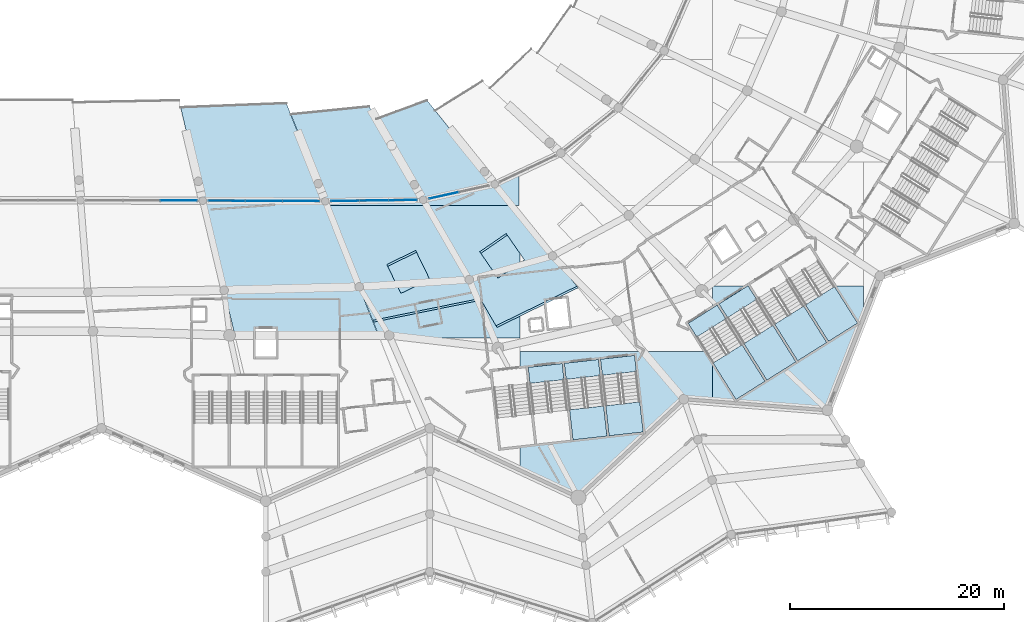
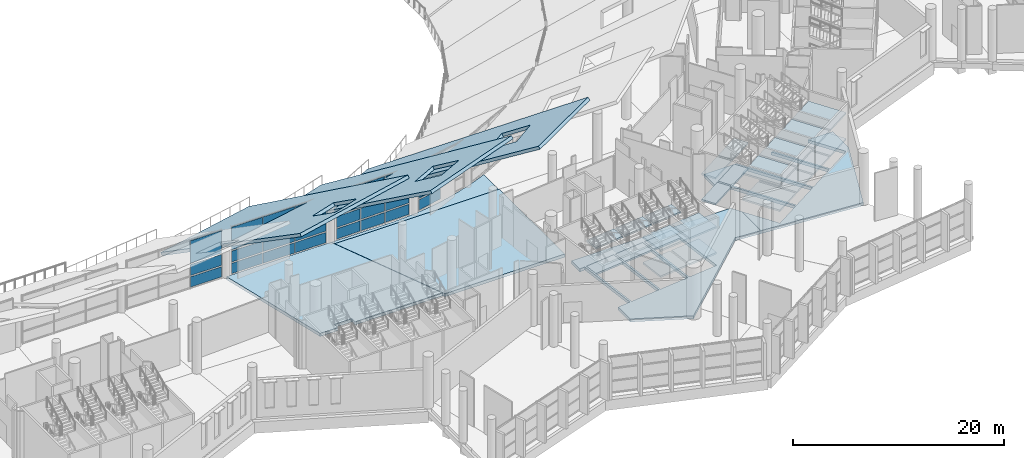
# One storey, part 109 of 249: 30 slabs, 23 plates, 11 elements without a shape of their own.
"""IFC4 building model written with IfcOpenShell, lengths in metres."""

import ifcopenshell
import ifcopenshell.guid

model = None  # the IFC model being written
_history = None  # IfcOwnerHistory: only IFC2X3 demands one
_inside = {}  # id of a spatial element -> (the spatial element, [elements in it])
_under = {}  # id of a project, library or spatial element -> (it, [spatial elements below it])
_declared = {}  # id of a project -> (the project, [libraries it declares])
_typed = {}  # id of a type object -> (the type object, [elements of that type])
_made_of = {}  # id of a material, layer set ... -> (it, [elements and type objects made of it])


def new_model(schema):
    """Start an empty IFC model of exactly this schema.

    Asked for "IFC4X3", IfcOpenShell would pick the latest addendum, in which some entities
    have other attributes; the version numbers below select the first issue.
    IFC2X3 requires an IfcOwnerHistory on every rooted entity: one is made here for all.
    """
    global model, _history
    if schema == "IFC4X3":
        model = ifcopenshell.file(schema_version=(4, 3, 0, 0))
    else:
        model = ifcopenshell.file(schema=schema)
    _inside.clear()
    _under.clear()
    _declared.clear()
    _typed.clear()
    _made_of.clear()
    _history = None
    if model.schema == "IFC2X3":
        org = make("IfcOrganization", Name="unknown")
        user = make(
            "IfcPersonAndOrganization",
            ThePerson=make("IfcPerson", FamilyName="unknown"),
            TheOrganization=org,
        )
        app = make(
            "IfcApplication",
            ApplicationDeveloper=org,
            Version="unknown",
            ApplicationFullName="unknown",
            ApplicationIdentifier="unknown",
        )
        _history = make(
            "IfcOwnerHistory",
            OwningUser=user,
            OwningApplication=app,
            ChangeAction="ADDED",
            CreationDate=0,
        )
    return model


def make(cls, **values):
    """One entity of the class cls with the attributes given. An attribute that is None is left unset."""
    return model.create_entity(
        cls, **{name: value for name, value in values.items() if value is not None}
    )


def rooted(cls, **values):
    """An entity with a GlobalId (a new one), such as an element, a storey or a relation."""
    return make(cls, GlobalId=ifcopenshell.guid.new(), OwnerHistory=_history, **values)


def si_unit(unit_type, name, prefix=None):
    """IfcSIUnit, for example si_unit("LENGTHUNIT", "METRE", prefix="MILLI")."""
    return make("IfcSIUnit", UnitType=unit_type, Prefix=prefix, Name=name)


def assignment(units):
    """IfcUnitAssignment: the units of a project."""
    return None if units is None else make("IfcUnitAssignment", Units=units)


def point(xyz):
    """IfcCartesianPoint."""
    return None if xyz is None else make("IfcCartesianPoint", Coordinates=xyz)


def direction(xyz):
    """IfcDirection."""
    return None if xyz is None else make("IfcDirection", DirectionRatios=xyz)


def frame(location, z_axis=None, x_axis=None):
    """IfcAxis2Placement3D, a coordinate frame: its origin and axes. An axis left out is left unset."""
    return make(
        "IfcAxis2Placement3D",
        Location=point(location),
        Axis=direction(z_axis),
        RefDirection=direction(x_axis),
    )


def frame_2d(location, x_axis=None):
    """IfcAxis2Placement2D, a coordinate frame in the plane: its origin and x axis."""
    return make(
        "IfcAxis2Placement2D", Location=point(location), RefDirection=direction(x_axis)
    )


def origin():
    """The frame at (0, 0, 0) with its axes left unset."""
    return frame((0.0, 0.0, 0.0))


def origin_2d():
    """The frame at (0, 0) in the plane with its x axis left unset."""
    return frame_2d((0.0, 0.0))


def place(relative_to, where):
    """IfcLocalPlacement: puts the frame where relative to a parent placement (None: the world)."""
    return make(
        "IfcLocalPlacement", PlacementRelTo=relative_to, RelativePlacement=where
    )


def context(
    kind, dimensions, precision=None, world=None, true_north=None, identifier=None
):
    """IfcGeometricRepresentationContext, for example the 3D "Model" context."""
    return make(
        "IfcGeometricRepresentationContext",
        ContextIdentifier=identifier,
        ContextType=kind,
        CoordinateSpaceDimension=dimensions,
        Precision=precision,
        WorldCoordinateSystem=world,
        TrueNorth=true_north,
    )


def subcontext(parent, identifier, kind, view, scale=None):
    """IfcGeometricRepresentationSubContext, for example "Body" below "Model"."""
    return make(
        "IfcGeometricRepresentationSubContext",
        ContextIdentifier=identifier,
        ContextType=kind,
        ParentContext=parent,
        TargetScale=scale,
        TargetView=view,
    )


def project(units=None, contexts=None):
    """IfcProject with its units and contexts."""
    return rooted(
        "IfcProject",
        Name="project",
        RepresentationContexts=contexts,
        UnitsInContext=assignment(units),
    )


def spatial(cls, under=None, at=None, **own):
    """A site, building, storey or space (cls), placed at a placement, below another one or the project."""
    s = rooted(cls, ObjectPlacement=at, **own)
    if under is not None:
        _under.setdefault(under.id(), (under, []))[1].append(s)
    return s


def polyline(points):
    """IfcPolyline through the points."""
    return make("IfcPolyline", Points=[point(p) for p in points])


def profile(cls, at=None, kind="AREA", **sizes):
    """A parametric profile (cls). Its sizes go by their IFC names, for example OverallWidth=200.0."""
    return make(cls, ProfileType=kind, Position=at, **sizes)


def rectangle(**sizes):
    """IfcRectangleProfileDef."""
    return profile("IfcRectangleProfileDef", **sizes)


def outline(outer, holes=None, kind="AREA"):
    """IfcArbitraryClosedProfileDef: a profile drawn as a closed curve; with holes, ...WithVoids."""
    if holes is None:
        return make("IfcArbitraryClosedProfileDef", ProfileType=kind, OuterCurve=outer)
    return make(
        "IfcArbitraryProfileDefWithVoids",
        ProfileType=kind,
        OuterCurve=outer,
        InnerCurves=holes,
    )


def extrude(swept, where, along, depth):
    """IfcExtrudedAreaSolid: the profile swept, set in the frame where, extruded along a direction by depth."""
    return make(
        "IfcExtrudedAreaSolid",
        SweptArea=swept,
        Position=where,
        ExtrudedDirection=direction(along),
        Depth=depth,
    )


def shape(context_of_items, identifier, shape_type, items):
    """IfcShapeRepresentation: the items that make up one representation, for example the "Body"."""
    return make(
        "IfcShapeRepresentation",
        ContextOfItems=context_of_items,
        RepresentationIdentifier=identifier,
        RepresentationType=shape_type,
        Items=items,
    )


def material(Name=None, Category=None):
    """IfcMaterial."""
    return make("IfcMaterial", Name=Name, Category=Category)


def layer(
    of_material, thickness, ventilated=None, Name=None, Category=None, Priority=None
):
    """IfcMaterialLayer: one layer of a wall or slab, of a material (None: an air gap)."""
    return make(
        "IfcMaterialLayer",
        Material=of_material,
        LayerThickness=thickness,
        IsVentilated=ventilated,
        Name=Name,
        Category=Category,
        Priority=Priority,
    )


def layer_set(layers, Name=None):
    """IfcMaterialLayerSet."""
    return make("IfcMaterialLayerSet", MaterialLayers=layers, LayerSetName=Name)


def made_of(thing, what):
    """Note that an element or type object is made of a material, layer set ...; save() writes the relation."""
    if what is not None:
        _made_of.setdefault(what.id(), (what, []))[1].append(thing)
    return thing


def type_object(cls, material=None, **own):
    """A type object (cls), such as IfcWallType, which elements share."""
    return made_of(rooted(cls, **own), material)


def element(
    cls,
    number,
    at=None,
    inside=None,
    cuts=None,
    type_object=None,
    material=None,
    context=None,
    identifier="Body",
    shape_type=None,
    held_by="IfcProductDefinitionShape",
    body=None,
    shapes=None,
    **own,
):
    """One element of the class cls, such as IfcWall. Its Tag is "e" and its number.

    at: its placement. inside: the storey or other place that contains it. cuts: it is an
    opening in that element (IfcRelVoidsElement). A single representation is given by context,
    identifier, shape_type and body (its items); several are given by shapes. held_by: the class
    of the entity that holds the representations. save() writes the other relations.
    """
    e = rooted(cls, Tag="e%d" % number, ObjectPlacement=at, **own)
    if body is not None:
        shapes = [shape(context, identifier, shape_type, body)]
    if shapes is not None:
        e.Representation = make(held_by, Representations=shapes)
    if inside is not None:
        _inside.setdefault(inside.id(), (inside, []))[1].append(e)
    if cuts is not None:
        rooted(
            "IfcRelVoidsElement", RelatingBuildingElement=cuts, RelatedOpeningElement=e
        )
    if type_object is not None:
        _typed.setdefault(type_object.id(), (type_object, []))[1].append(e)
    return made_of(e, material)


def aggregate(whole, parts):
    """IfcRelAggregates: a whole, such as a stair, and the parts it consists of."""
    return rooted("IfcRelAggregates", RelatingObject=whole, RelatedObjects=parts)


def save(model, path):
    """Write the relations noted so far, then the file.

    IfcRelAggregates (storeys below a building ...), IfcRelContainedInSpatialStructure (elements
    in a storey), IfcRelDefinesByType, IfcRelAssociatesMaterial and IfcRelDeclares: one each for
    every whole, place, type object, material and project.
    """
    for whole, parts in _under.values():
        aggregate(whole, parts)
    for where, things in _inside.values():
        rooted(
            "IfcRelContainedInSpatialStructure",
            RelatedElements=things,
            RelatingStructure=where,
        )
    for kind, things in _typed.values():
        rooted("IfcRelDefinesByType", RelatedObjects=things, RelatingType=kind)
    for what, things in _made_of.values():
        rooted("IfcRelAssociatesMaterial", RelatedObjects=things, RelatingMaterial=what)
    for by, libraries in _declared.values():
        rooted("IfcRelDeclares", RelatingContext=by, RelatedDefinitions=libraries)
    model.write(path)


model = new_model("IFC4")

# Units and contexts
model_context = context("Model", 3, precision=1e-05, world=origin(), true_north=direction((0.0, 1.0)))
body_context = subcontext(model_context, "Body", "Model", "MODEL_VIEW")
ifc_project = project(units=[si_unit("LENGTHUNIT", "METRE"), si_unit("AREAUNIT", "SQUARE_METRE"), si_unit("VOLUMEUNIT", "CUBIC_METRE"), si_unit("PLANEANGLEUNIT", "RADIAN"), si_unit("MASSUNIT", "GRAM", prefix="KILO")], contexts=[model_context])

# Site, building, storey
site_placement = place(None, origin())
site = spatial("IfcSite", under=ifc_project, at=site_placement, CompositionType="ELEMENT")
building_placement = place(site_placement, origin())
building = spatial("IfcBuilding", under=site, at=building_placement, Name="Meseta Stadium", CompositionType="ELEMENT")
storey_placement = place(building_placement, frame((0.0, 0.0, 12.0)))
storey = spatial("IfcBuildingStorey", under=building, at=storey_placement, Name="L02", CompositionType="ELEMENT", Elevation=12.0)

# Curtain wall, plates
ifc_material_1 = material(Name="Aluminium", Category="aluminium")
ifc_layer_1 = layer(ifc_material_1, 0.199951171875)
ifc_layer_set_1 = layer_set([ifc_layer_1], Name="Suite glazing curtain wall")
curtain_wall_type = type_object("IfcCurtainWallType", Name="Suite glazing curtain wall", PredefinedType="NOTDEFINED", material=ifc_layer_set_1)
curtain_wall_1_placement = place(storey_placement, origin())
curtain_wall_1 = element("IfcCurtainWall", 1, at=curtain_wall_1_placement, inside=storey, type_object=curtain_wall_type, Name="Suite glazing bay 47", PredefinedType="NOTDEFINED")
ifc_material_2 = material(Name="Glass", Category="glass")
ifc_layer_2 = layer(ifc_material_2, 0.035888671875)
ifc_layer_set_2 = layer_set([ifc_layer_2], Name="CW glass panel 36")
plate_type = type_object("IfcPlateType", Name="CW glass panel 36", PredefinedType="CURTAIN_PANEL", material=ifc_layer_set_2)
plate_1_placement = place(storey_placement, frame((14.8779296875, -77.326416015625, 0.14990234375), z_axis=(0.0, 0.0, 1.0), x_axis=(0.999996910004, -0.002485957037, 0.0)))
plate_1 = element("IfcPlate", 2, at=plate_1_placement, type_object=plate_type, Name="CWS panel 3.1", PredefinedType="CURTAIN_PANEL", context=body_context, shape_type="SweptSolid", body=[
    extrude(rectangle(XDim=3.392333984375, YDim=0.035888671875, at=origin_2d()), origin(), (0.0, 0.0, 1.0), 1.1875),
])
plate_2_placement = place(storey_placement, frame((14.8779296875, -77.326416015625, 1.4873046875), z_axis=(0.0, 0.0, 1.0), x_axis=(0.999996910004, -0.002485957037, 0.0)))
plate_2 = element("IfcPlate", 3, at=plate_2_placement, type_object=plate_type, Name="CWS panel 3.2", PredefinedType="CURTAIN_PANEL", context=body_context, shape_type="SweptSolid", body=[
    extrude(rectangle(XDim=3.392333984375, YDim=0.035888671875, at=origin_2d()), origin(), (0.0, 0.0, 1.0), 1.262451171875),
])
plate_3_placement = place(storey_placement, frame((14.8779296875, -77.326416015625, 2.89990234375), z_axis=(0.0, 0.0, 1.0), x_axis=(0.999996910004, -0.002485957037, 0.0)))
plate_3 = element("IfcPlate", 4, at=plate_3_placement, type_object=plate_type, Name="CWS panel 3.3", PredefinedType="CURTAIN_PANEL", context=body_context, shape_type="SweptSolid", body=[
    extrude(rectangle(XDim=3.392333984375, YDim=0.035888671875, at=origin_2d()), origin(), (0.0, 0.0, 1.0), 2.60009765625),
])
aggregate(curtain_wall_1, [plate_1, plate_2, plate_3])

curtain_wall_2_placement = place(storey_placement, origin())
curtain_wall_2 = element("IfcCurtainWall", 5, at=curtain_wall_2_placement, inside=storey, type_object=curtain_wall_type, Name="Suite glazing bay 48", PredefinedType="NOTDEFINED")
plate_4_placement = place(storey_placement, frame((19.372802734375, -77.342041015625, 0.14990234375), z_axis=(0.0, 0.0, 1.0), x_axis=(0.999990015912, -0.004468565348, 0.0)))
plate_4 = element("IfcPlate", 6, at=plate_4_placement, type_object=plate_type, Name="CWS panel 1.1", PredefinedType="CURTAIN_PANEL", context=body_context, shape_type="SweptSolid", body=[
    extrude(rectangle(XDim=3.386474609375, YDim=0.035888671875, at=origin_2d()), origin(), (0.0, 0.0, 1.0), 1.1875),
])
plate_5_placement = place(storey_placement, frame((19.372802734375, -77.342041015625, 1.4873046875), z_axis=(0.0, 0.0, 1.0), x_axis=(0.999990015912, -0.004468565348, 0.0)))
plate_5 = element("IfcPlate", 7, at=plate_5_placement, type_object=plate_type, Name="CWS panel 1.2", PredefinedType="CURTAIN_PANEL", context=body_context, shape_type="SweptSolid", body=[
    extrude(rectangle(XDim=3.386474609375, YDim=0.035888671875, at=origin_2d()), origin(), (0.0, 0.0, 1.0), 1.262451171875),
])
plate_6_placement = place(storey_placement, frame((19.372802734375, -77.342041015625, 2.89990234375), z_axis=(0.0, 0.0, 1.0), x_axis=(0.999990015912, -0.004468565348, 0.0)))
plate_6 = element("IfcPlate", 8, at=plate_6_placement, type_object=plate_type, Name="CWS panel 1.3", PredefinedType="CURTAIN_PANEL", context=body_context, shape_type="SweptSolid", body=[
    extrude(rectangle(XDim=3.386474609375, YDim=0.035888671875, at=origin_2d()), origin(), (0.0, 0.0, 1.0), 2.60009765625),
])
plate_7_placement = place(storey_placement, frame((22.833984375, -77.357666015625, 0.14990234375), z_axis=(0.0, 0.0, 1.0), x_axis=(0.999990015912, -0.004468565348, 0.0)))
plate_7 = element("IfcPlate", 9, at=plate_7_placement, type_object=plate_type, Name="CWS panel 2.1", PredefinedType="CURTAIN_PANEL", context=body_context, shape_type="SweptSolid", body=[
    extrude(rectangle(XDim=3.41650390625, YDim=0.035888671875, at=origin_2d()), origin(), (0.0, 0.0, 1.0), 1.1875),
])
plate_8_placement = place(storey_placement, frame((22.833984375, -77.357666015625, 1.4873046875), z_axis=(0.0, 0.0, 1.0), x_axis=(0.999990015912, -0.004468565348, 0.0)))
plate_8 = element("IfcPlate", 10, at=plate_8_placement, type_object=plate_type, Name="CWS panel 2.2", PredefinedType="CURTAIN_PANEL", context=body_context, shape_type="SweptSolid", body=[
    extrude(rectangle(XDim=3.41650390625, YDim=0.035888671875, at=origin_2d()), origin(), (0.0, 0.0, 1.0), 1.262451171875),
])
plate_9_placement = place(storey_placement, frame((22.833984375, -77.357666015625, 2.89990234375), z_axis=(0.0, 0.0, 1.0), x_axis=(0.999990015912, -0.004468565348, 0.0)))
plate_9 = element("IfcPlate", 11, at=plate_9_placement, type_object=plate_type, Name="CWS panel 2.3", PredefinedType="CURTAIN_PANEL", context=body_context, shape_type="SweptSolid", body=[
    extrude(rectangle(XDim=3.41650390625, YDim=0.035888671875, at=origin_2d()), origin(), (0.0, 0.0, 1.0), 2.60009765625),
])
plate_10_placement = place(storey_placement, frame((26.29541015625, -77.373046875, 0.14990234375), z_axis=(0.0, 0.0, 1.0), x_axis=(0.999990015912, -0.004468565348, 0.0)))
plate_10 = element("IfcPlate", 12, at=plate_10_placement, type_object=plate_type, Name="CWS panel 3.1", PredefinedType="CURTAIN_PANEL", context=body_context, shape_type="SweptSolid", body=[
    extrude(rectangle(XDim=3.386474609375, YDim=0.035888671875, at=origin_2d()), origin(), (0.0, 0.0, 1.0), 1.1875),
])
plate_11_placement = place(storey_placement, frame((26.29541015625, -77.373046875, 1.4873046875), z_axis=(0.0, 0.0, 1.0), x_axis=(0.999990015912, -0.004468565348, 0.0)))
plate_11 = element("IfcPlate", 13, at=plate_11_placement, type_object=plate_type, Name="CWS panel 3.2", PredefinedType="CURTAIN_PANEL", context=body_context, shape_type="SweptSolid", body=[
    extrude(rectangle(XDim=3.386474609375, YDim=0.035888671875, at=origin_2d()), origin(), (0.0, 0.0, 1.0), 1.262451171875),
])
plate_12_placement = place(storey_placement, frame((26.29541015625, -77.373046875, 2.89990234375), z_axis=(0.0, 0.0, 1.0), x_axis=(0.999990015912, -0.004468565348, 0.0)))
plate_12 = element("IfcPlate", 14, at=plate_12_placement, type_object=plate_type, Name="CWS panel 3.3", PredefinedType="CURTAIN_PANEL", context=body_context, shape_type="SweptSolid", body=[
    extrude(rectangle(XDim=3.386474609375, YDim=0.035888671875, at=origin_2d()), origin(), (0.0, 0.0, 1.0), 2.60009765625),
])
aggregate(curtain_wall_2, [plate_4, plate_5, plate_6, plate_7, plate_8, plate_9, plate_10, plate_11, plate_12])

curtain_wall_3_placement = place(storey_placement, origin())
curtain_wall_3 = element("IfcCurtainWall", 15, at=curtain_wall_3_placement, inside=storey, type_object=curtain_wall_type, Name="Suite glazing bay 49", PredefinedType="NOTDEFINED")
plate_13_placement = place(storey_placement, frame((30.43994140625, -77.3583984375, 0.14990234375), z_axis=(0.0, 0.0, 1.0), x_axis=(0.999911801279, 0.013281177042, 0.0)))
plate_13 = element("IfcPlate", 16, at=plate_13_placement, type_object=plate_type, Name="CWS panel 1.1", PredefinedType="CURTAIN_PANEL", context=body_context, shape_type="SweptSolid", body=[
    extrude(rectangle(XDim=2.60546875, YDim=0.035888671875, at=origin_2d()), origin(), (0.0, 0.0, 1.0), 1.1875),
])
plate_14_placement = place(storey_placement, frame((30.43994140625, -77.3583984375, 1.4873046875), z_axis=(0.0, 0.0, 1.0), x_axis=(0.999911801279, 0.013281177042, 0.0)))
plate_14 = element("IfcPlate", 17, at=plate_14_placement, type_object=plate_type, Name="CWS panel 1.2", PredefinedType="CURTAIN_PANEL", context=body_context, shape_type="SweptSolid", body=[
    extrude(rectangle(XDim=2.60546875, YDim=0.035888671875, at=origin_2d()), origin(), (0.0, 0.0, 1.0), 1.262451171875),
])
plate_15_placement = place(storey_placement, frame((30.43994140625, -77.3583984375, 2.89990234375), z_axis=(0.0, 0.0, 1.0), x_axis=(0.999911801279, 0.013281177042, 0.0)))
plate_15 = element("IfcPlate", 18, at=plate_15_placement, type_object=plate_type, Name="CWS panel 1.3", PredefinedType="CURTAIN_PANEL", context=body_context, shape_type="SweptSolid", body=[
    extrude(rectangle(XDim=2.60546875, YDim=0.035888671875, at=origin_2d()), origin(), (0.0, 0.0, 1.0), 2.60009765625),
])
plate_16_placement = place(storey_placement, frame((33.1201171875, -77.32275390625, 0.14990234375), z_axis=(0.0, 0.0, 1.0), x_axis=(0.999911801279, 0.013281177042, 0.0)))
plate_16 = element("IfcPlate", 19, at=plate_16_placement, type_object=plate_type, Name="CWS panel 2.1", PredefinedType="CURTAIN_PANEL", context=body_context, shape_type="SweptSolid", body=[
    extrude(rectangle(XDim=2.635498046875, YDim=0.035888671875, at=origin_2d()), origin(), (0.0, 0.0, 1.0), 1.1875),
])
plate_17_placement = place(storey_placement, frame((33.1201171875, -77.32275390625, 1.4873046875), z_axis=(0.0, 0.0, 1.0), x_axis=(0.999911801279, 0.013281177042, 0.0)))
plate_17 = element("IfcPlate", 20, at=plate_17_placement, type_object=plate_type, Name="CWS panel 2.2", PredefinedType="CURTAIN_PANEL", context=body_context, shape_type="SweptSolid", body=[
    extrude(rectangle(XDim=2.635498046875, YDim=0.035888671875, at=origin_2d()), origin(), (0.0, 0.0, 1.0), 1.262451171875),
])
plate_18_placement = place(storey_placement, frame((33.1201171875, -77.32275390625, 2.89990234375), z_axis=(0.0, 0.0, 1.0), x_axis=(0.999911801279, 0.013281177042, 0.0)))
plate_18 = element("IfcPlate", 21, at=plate_18_placement, type_object=plate_type, Name="CWS panel 2.3", PredefinedType="CURTAIN_PANEL", context=body_context, shape_type="SweptSolid", body=[
    extrude(rectangle(XDim=2.635498046875, YDim=0.035888671875, at=origin_2d()), origin(), (0.0, 0.0, 1.0), 2.60009765625),
])
plate_19_placement = place(storey_placement, frame((35.80029296875, -77.287109375, 0.14990234375), z_axis=(0.0, 0.0, 1.0), x_axis=(0.999911801279, 0.013281177042, 0.0)))
plate_19 = element("IfcPlate", 22, at=plate_19_placement, type_object=plate_type, Name="CWS panel 3.1", PredefinedType="CURTAIN_PANEL", context=body_context, shape_type="SweptSolid", body=[
    extrude(rectangle(XDim=2.60546875, YDim=0.035888671875, at=origin_2d()), origin(), (0.0, 0.0, 1.0), 1.1875),
])
plate_20_placement = place(storey_placement, frame((35.80029296875, -77.287109375, 1.4873046875), z_axis=(0.0, 0.0, 1.0), x_axis=(0.999911801279, 0.013281177042, 0.0)))
plate_20 = element("IfcPlate", 23, at=plate_20_placement, type_object=plate_type, Name="CWS panel 3.2", PredefinedType="CURTAIN_PANEL", context=body_context, shape_type="SweptSolid", body=[
    extrude(rectangle(XDim=2.60546875, YDim=0.035888671875, at=origin_2d()), origin(), (0.0, 0.0, 1.0), 1.262451171875),
])
plate_21_placement = place(storey_placement, frame((35.80029296875, -77.287109375, 2.89990234375), z_axis=(0.0, 0.0, 1.0), x_axis=(0.999911801279, 0.013281177042, 0.0)))
plate_21 = element("IfcPlate", 24, at=plate_21_placement, type_object=plate_type, Name="CWS panel 3.3", PredefinedType="CURTAIN_PANEL", context=body_context, shape_type="SweptSolid", body=[
    extrude(rectangle(XDim=2.60546875, YDim=0.035888671875, at=origin_2d()), origin(), (0.0, 0.0, 1.0), 2.60009765625),
])
aggregate(curtain_wall_3, [plate_13, plate_14, plate_15, plate_16, plate_17, plate_18, plate_19, plate_20, plate_21])

curtain_wall_4_placement = place(storey_placement, origin())
curtain_wall_4 = element("IfcCurtainWall", 25, at=curtain_wall_4_placement, inside=storey, type_object=curtain_wall_type, Name="Suite glazing bay 50", PredefinedType="NOTDEFINED")
plate_22_placement = place(storey_placement, frame((39.633544921875, -76.843017578125, 0.14990234375), z_axis=(0.0, 0.0, 1.0), x_axis=(0.977070301273, 0.21291694712, 0.0)))
plate_22 = element("IfcPlate", 26, at=plate_22_placement, type_object=plate_type, Name="CWS panel 1.1", PredefinedType="CURTAIN_PANEL", context=body_context, shape_type="SweptSolid", body=[
    extrude(rectangle(XDim=2.80810546875, YDim=0.035888671875, at=origin_2d()), origin(), (0.0, 0.0, 1.0), 1.1875),
])
plate_23_placement = place(storey_placement, frame((39.633544921875, -76.843017578125, 1.4873046875), z_axis=(0.0, 0.0, 1.0), x_axis=(0.977070301273, 0.21291694712, 0.0)))
plate_23 = element("IfcPlate", 27, at=plate_23_placement, type_object=plate_type, Name="CWS panel 1.2", PredefinedType="CURTAIN_PANEL", context=body_context, shape_type="SweptSolid", body=[
    extrude(rectangle(XDim=2.80810546875, YDim=0.035888671875, at=origin_2d()), origin(), (0.0, 0.0, 1.0), 1.262451171875),
])
aggregate(curtain_wall_4, [plate_22, plate_23])

# Slabs
ifc_material_3 = material(Name="Concrete C40/50", Category="concrete")
ifc_layer_3 = layer(ifc_material_3, 0.35009765625)
ifc_layer_set_3 = layer_set([ifc_layer_3], Name="Floor slab 350")
slab_type_1 = type_object("IfcSlabType", Name="Floor slab 350", PredefinedType="FLOOR", material=ifc_layer_set_3)
slab_1_placement = place(storey_placement, frame((0.0, 0.0, -0.35009765625)))
element("IfcSlab", 28, at=slab_1_placement, inside=storey, type_object=slab_type_1, Name="Floor slab L02 sector 42 panel 14", PredefinedType="FLOOR", context=body_context, shape_type="SweptSolid", body=[
    extrude(outline(polyline([(19.031494140625, -77.339111328125), (17.126708984375, -77.33203125), (20.1201171875, -89.904052734375), (22.050048828125, -89.905029296875), (22.050048828125, -89.300048828125), (23.949951171875, -89.300048828125), (23.949951171875, -89.906005859375), (33.525390625, -89.911376953125), (28.553955078125, -77.38330078125), (24.74951171875, -77.364013671875), (19.031494140625, -77.339111328125)])), origin(), (0.0, 0.0, 1.0), 0.35009765625),
])
slab_2_placement = place(storey_placement, frame((0.0, 0.0, -0.35009765625)))
element("IfcSlab", 29, at=slab_2_placement, inside=storey, type_object=slab_type_1, Name="Floor slab L02 sector 49 panel 01", PredefinedType="FLOOR", context=body_context, shape_type="SweptSolid", body=[
    extrude(outline(polyline([(46.736083984375, -77.7705078125), (28.729248046875, -77.7705078125), (33.6376953125, -90.1396484375), (46.736083984375, -90.1396484375), (46.736083984375, -77.7705078125)])), origin(), (0.0, 0.0, 1.0), 0.35009765625),
])
slab_3_placement = place(storey_placement, frame((0.0, 0.0, -0.35009765625)))
element("IfcSlab", 30, at=slab_3_placement, inside=storey, type_object=slab_type_1, Name="Floor slab L02 sector 49 panel 03", PredefinedType="FLOOR", context=body_context, shape_type="SweptSolid", body=[
    extrude(outline(polyline([(34.292724609375, -77.41455078125), (28.575439453125, -77.38330078125), (28.729248046875, -77.7705078125), (46.659423828125, -77.7705078125), (46.659423828125, -74.9287109375), (46.522216796875, -74.990478515625), (45.4638671875, -75.41845703125), (44.389892578125, -75.806396484375), (43.302490234375, -76.153564453125), (42.20263671875, -76.459228515625), (41.092041015625, -76.723388671875), (39.972412109375, -76.9453125), (38.844970703125, -77.124755859375), (37.711669921875, -77.26171875), (36.57421875, -77.355712890625), (35.43408203125, -77.40673828125), (34.292724609375, -77.41455078125)])), origin(), (0.0, 0.0, 1.0), 0.35009765625),
])
slab_4_placement = place(storey_placement, frame((0.0, 0.0, -0.35009765625)))
element("IfcSlab", 31, at=slab_4_placement, inside=storey, type_object=slab_type_1, Name="Floor slab L02 sector 49 panel 04", PredefinedType="FLOOR", context=body_context, shape_type="SweptSolid", body=[
    extrude(outline(polyline([(48.1201171875, -100.077392578125), (46.736083984375, -100.2333984375), (46.736083984375, -102.5087890625), (52.202880859375, -105.0517578125), (62.051513671875, -95.872802734375), (64.743408203125, -96.080322265625), (64.743408203125, -92.4228515625), (64.107666015625, -91.4111328125), (46.736083984375, -91.4111328125), (46.736083984375, -92.98779296875), (47.314208984375, -92.9228515625), (48.1201171875, -100.077392578125)]), holes=[polyline([(50.692626953125, -92.5419921875), (51.498779296875, -99.69677734375), (48.319091796875, -100.05517578125), (47.5126953125, -92.900390625), (50.692626953125, -92.5419921875)]), polyline([(54.0712890625, -92.161376953125), (54.87744140625, -99.316162109375), (51.697509765625, -99.67431640625), (50.8916015625, -92.519775390625), (54.0712890625, -92.161376953125)]), polyline([(57.449951171875, -91.78076171875), (58.256103515625, -98.935302734375), (55.076171875, -99.293701171875), (54.27001953125, -92.138916015625), (57.449951171875, -91.78076171875)])]), origin(), (0.0, 0.0, 1.0), 0.35009765625),
])
slab_5_placement = place(storey_placement, frame((0.0, 0.0, -0.35009765625)))
element("IfcSlab", 32, at=slab_5_placement, inside=storey, type_object=slab_type_1, Name="Floor slab L02 sector 49 panel 09", PredefinedType="FLOOR", context=body_context, shape_type="SweptSolid", body=[
    extrude(outline(polyline([(64.743408203125, -92.4228515625), (64.743408203125, -96.080322265625), (75.474609375, -96.908447265625), (78.825927734375, -88.313720703125), (78.825927734375, -85.313720703125), (76.101806640625, -85.313720703125), (78.274658203125, -88.771484375), (75.565185546875, -90.47412109375), (72.322509765625, -85.313720703125), (72.08642578125, -85.313720703125), (75.395751953125, -90.58056640625), (72.686279296875, -92.282958984375), (68.30712890625, -85.313720703125), (68.07080078125, -85.313720703125), (72.516845703125, -92.389404296875), (69.807373046875, -94.091796875), (65.33837890625, -86.9794921875), (67.989501953125, -85.313720703125), (64.743408203125, -85.313720703125), (64.743408203125, -87.353271484375), (65.1689453125, -87.085693359375), (69.63818359375, -94.1982421875), (66.9287109375, -95.90087890625), (64.743408203125, -92.4228515625)])), origin(), (0.0, 0.0, 1.0), 0.35009765625),
])
ifc_material_4 = material(Name="Concrete C40/50", Category="concrete")
ifc_layer_4 = layer(ifc_material_4, 0.35009765625)
ifc_layer_set_4 = layer_set([ifc_layer_4], Name="Seating tier 350")
slab_type_2 = type_object("IfcSlabType", Name="Seating tier 350", PredefinedType="USERDEFINED", material=ifc_layer_set_4)
slab_6_placement = place(storey_placement, frame((15.02880859375, -68.52099609375, -1.820068359375), z_axis=(-0.160361863624, 0.505154959163, 0.847999139108), x_axis=(0.196558422648, -0.825568137676, 0.528963171251)))
element("IfcSlab", 33, at=slab_6_placement, inside=storey, type_object=slab_type_2, Name="Stand upper tier bay 49", ObjectType="SEATING TIER", PredefinedType="USERDEFINED", context=body_context, shape_type="SweptSolid", body=[
    extrude(outline(polyline([(0.0, 0.0), (22.624296574666893, 1.1102230246251565e-16), (24.949350341844152, 12.443457201617084), (2.491654237678982, 9.685685727142626), (0.0, 0.0)]), holes=[polyline([(19.185546875, 4.4423828125), (22.71630859375, 4.663330078125), (22.529052734375, 7.657470703125), (18.998046875, 7.4365234375), (19.185546875, 4.4423828125)])]), origin(), (0.0, 0.0, -1.0), 0.35009765625),
])
slab_7_placement = place(storey_placement, frame((25.31884765625, -69.177001953125, -1.79541015625), z_axis=(-0.232119143506, 0.476465351719, 0.847998509332), x_axis=(0.313031107442, -0.788838391922, 0.52890974391)))
element("IfcSlab", 34, at=slab_7_placement, inside=storey, type_object=slab_type_2, Name="Stand upper tier bay 50", ObjectType="SEATING TIER", PredefinedType="USERDEFINED", context=body_context, shape_type="SweptSolid", body=[
    extrude(outline(polyline([(0.0, 0.0), (24.507633626726914, 3.885780586188048e-16), (26.880816828932062, 10.094729530502343), (2.5585262941642393, 7.059484787694279), (0.0, 0.0)]), holes=[polyline([(19.450439453125, 3.151611328125), (22.98095703125, 3.378173828125), (22.788818359375, 6.3720703125), (19.25830078125, 6.1455078125), (19.450439453125, 3.151611328125)])]), origin(), (0.0, 0.0, -1.0), 0.35009765625),
])
slab_8_placement = place(storey_placement, frame((33.29443359375, -69.619873046875, -1.39013671875), z_axis=(-0.300983272635, 0.436243165598, 0.847998213478), x_axis=(0.424754048149, -0.73482785255, 0.528783533875)))
element("IfcSlab", 35, at=slab_8_placement, inside=storey, type_object=slab_type_2, Name="Stand upper tier bay 51", ObjectType="SEATING TIER", PredefinedType="USERDEFINED", context=body_context, shape_type="SweptSolid", body=[
    extrude(outline(polyline([(0.0, 0.0), (26.391565654778425, 7.771561172376096e-16), (27.306947301688208, 8.404293712613997), (1.1403016902974397, 4.9450745791314485), (0.0, 0.0)]), holes=[polyline([(18.50390625, 2.149658203125), (22.033447265625, 2.38916015625), (21.830322265625, 5.382080078125), (18.30078125, 5.142822265625), (18.50390625, 2.149658203125)])]), origin(), (0.0, 0.0, -1.0), 0.35009765625),
])

# Stair, slabs
ifc_material_5 = material(Name="Concrete C40/50", Category="concrete")
stair_type = type_object("IfcStairType", Name="Exit stair 4 flights 150 mm risers", PredefinedType="HALF_TURN_STAIR", material=ifc_material_5)
stair_1_placement = place(storey_placement, origin())
stair_1 = element("IfcStair", 36, at=stair_1_placement, inside=storey, type_object=stair_type, Name="ST102 L02", PredefinedType="HALF_TURN_STAIR")
ifc_material_6 = material(Name="Concrete C40/50", Category="concrete")
ifc_layer_5 = layer(ifc_material_6, 0.199951171875)
ifc_layer_set_5 = layer_set([ifc_layer_5], Name="Stair landing 200")
slab_type_3 = type_object("IfcSlabType", Name="Stair landing 200", PredefinedType="LANDING", material=ifc_layer_set_5)
slab_9_placement = place(storey_placement, frame((0.0, 0.0, 2.800048828125)))
slab_9 = element("IfcSlab", 37, at=slab_9_placement, type_object=slab_type_3, Name="ST102 L02 landing 2", PredefinedType="LANDING", context=body_context, shape_type="SweptSolid", body=[
    extrude(outline(polyline([(47.512939453125, -92.900390625), (47.681884765625, -94.40087890625), (50.86181640625, -94.04248046875), (50.692626953125, -92.5419921875), (47.512939453125, -92.900390625)])), origin(), (0.0, 0.0, 1.0), 0.199951171875),
])
slab_10_placement = place(storey_placement, frame((0.0, 0.0, -0.199951171875)))
slab_10 = element("IfcSlab", 38, at=slab_10_placement, type_object=slab_type_3, Name="ST102 L02 landing 4", PredefinedType="LANDING", context=body_context, shape_type="SweptSolid", body=[
    extrude(outline(polyline([(47.512939453125, -92.900390625), (47.681884765625, -94.40087890625), (50.86181640625, -94.04248046875), (50.692626953125, -92.5419921875), (47.512939453125, -92.900390625)])), origin(), (0.0, 0.0, 1.0), 0.199951171875),
])
aggregate(stair_1, [slab_9, slab_10])

stair_2_placement = place(storey_placement, origin())
stair_2 = element("IfcStair", 39, at=stair_2_placement, inside=storey, type_object=stair_type, Name="ST103 L02", PredefinedType="HALF_TURN_STAIR")
slab_11_placement = place(storey_placement, frame((0.0, 0.0, 1.300048828125)))
slab_11 = element("IfcSlab", 40, at=slab_11_placement, type_object=slab_type_3, Name="ST103 L02 landing 1", PredefinedType="LANDING", context=body_context, shape_type="SweptSolid", body=[
    extrude(outline(polyline([(51.380615234375, -96.8623046875), (51.697509765625, -99.67431640625), (54.87744140625, -99.316162109375), (54.560546875, -96.50390625), (51.380615234375, -96.8623046875)])), origin(), (0.0, 0.0, 1.0), 0.199951171875),
])
slab_12_placement = place(storey_placement, frame((0.0, 0.0, 2.800048828125)))
slab_12 = element("IfcSlab", 41, at=slab_12_placement, type_object=slab_type_3, Name="ST103 L02 landing 2", PredefinedType="LANDING", context=body_context, shape_type="SweptSolid", body=[
    extrude(outline(polyline([(50.891357421875, -92.519775390625), (51.060546875, -94.020263671875), (54.240478515625, -93.661865234375), (54.0712890625, -92.161376953125), (50.891357421875, -92.519775390625)])), origin(), (0.0, 0.0, 1.0), 0.199951171875),
])
slab_13_placement = place(storey_placement, frame((0.0, 0.0, 4.300048828125)))
slab_13 = element("IfcSlab", 42, at=slab_13_placement, type_object=slab_type_3, Name="ST103 L02 landing 3", PredefinedType="LANDING", context=body_context, shape_type="SweptSolid", body=[
    extrude(outline(polyline([(51.380615234375, -96.8623046875), (51.697509765625, -99.67431640625), (54.87744140625, -99.316162109375), (54.560546875, -96.50390625), (51.380615234375, -96.8623046875)])), origin(), (0.0, 0.0, 1.0), 0.199951171875),
])
slab_14_placement = place(storey_placement, frame((0.0, 0.0, -0.199951171875)))
slab_14 = element("IfcSlab", 43, at=slab_14_placement, type_object=slab_type_3, Name="ST103 L02 landing 4", PredefinedType="LANDING", context=body_context, shape_type="SweptSolid", body=[
    extrude(outline(polyline([(50.891357421875, -92.519775390625), (51.060546875, -94.020263671875), (54.240478515625, -93.661865234375), (54.0712890625, -92.161376953125), (50.891357421875, -92.519775390625)])), origin(), (0.0, 0.0, 1.0), 0.199951171875),
])
aggregate(stair_2, [slab_11, slab_12, slab_13, slab_14])

stair_3_placement = place(storey_placement, origin())
stair_3 = element("IfcStair", 44, at=stair_3_placement, inside=storey, type_object=stair_type, Name="ST104 L02", PredefinedType="HALF_TURN_STAIR")
slab_15_placement = place(storey_placement, frame((0.0, 0.0, 1.300048828125)))
slab_15 = element("IfcSlab", 45, at=slab_15_placement, type_object=slab_type_3, Name="ST104 L02 landing 1", PredefinedType="LANDING", context=body_context, shape_type="SweptSolid", body=[
    extrude(outline(polyline([(54.75927734375, -96.4814453125), (55.076171875, -99.293701171875), (58.256103515625, -98.935546875), (57.939208984375, -96.123291015625), (54.75927734375, -96.4814453125)])), origin(), (0.0, 0.0, 1.0), 0.199951171875),
])
slab_16_placement = place(storey_placement, frame((0.0, 0.0, 2.800048828125)))
slab_16 = element("IfcSlab", 46, at=slab_16_placement, type_object=slab_type_3, Name="ST104 L02 landing 2", PredefinedType="LANDING", context=body_context, shape_type="SweptSolid", body=[
    extrude(outline(polyline([(54.27001953125, -92.138916015625), (54.439208984375, -93.639404296875), (57.618896484375, -93.28125), (57.449951171875, -91.78076171875), (54.27001953125, -92.138916015625)])), origin(), (0.0, 0.0, 1.0), 0.199951171875),
])
slab_17_placement = place(storey_placement, frame((0.0, 0.0, 4.300048828125)))
slab_17 = element("IfcSlab", 47, at=slab_17_placement, type_object=slab_type_3, Name="ST104 L02 landing 3", PredefinedType="LANDING", context=body_context, shape_type="SweptSolid", body=[
    extrude(outline(polyline([(54.75927734375, -96.4814453125), (55.076171875, -99.293701171875), (58.256103515625, -98.935546875), (57.939208984375, -96.123291015625), (54.75927734375, -96.4814453125)])), origin(), (0.0, 0.0, 1.0), 0.199951171875),
])
slab_18_placement = place(storey_placement, frame((0.0, 0.0, -0.199951171875)))
slab_18 = element("IfcSlab", 48, at=slab_18_placement, type_object=slab_type_3, Name="ST104 L02 landing 4", PredefinedType="LANDING", context=body_context, shape_type="SweptSolid", body=[
    extrude(outline(polyline([(54.27001953125, -92.138916015625), (54.439208984375, -93.639404296875), (57.618896484375, -93.28125), (57.449951171875, -91.78076171875), (54.27001953125, -92.138916015625)])), origin(), (0.0, 0.0, 1.0), 0.199951171875),
])
aggregate(stair_3, [slab_15, slab_16, slab_17, slab_18])

stair_4_placement = place(storey_placement, origin())
stair_4 = element("IfcStair", 49, at=stair_4_placement, inside=storey, type_object=stair_type, Name="ST105 L02", PredefinedType="HALF_TURN_STAIR")
slab_19_placement = place(storey_placement, frame((0.0, 0.0, 1.300048828125)))
slab_19 = element("IfcSlab", 50, at=slab_19_placement, type_object=slab_type_3, Name="ST105 L02 landing 1", PredefinedType="LANDING", context=body_context, shape_type="SweptSolid", body=[
    extrude(outline(polyline([(64.784423828125, -92.488525390625), (66.928466796875, -95.90087890625), (69.63818359375, -94.1982421875), (67.493896484375, -90.7861328125), (64.784423828125, -92.488525390625)])), origin(), (0.0, 0.0, 1.0), 0.199951171875),
])
slab_20_placement = place(storey_placement, frame((0.0, 0.0, 2.800048828125)))
slab_20 = element("IfcSlab", 51, at=slab_20_placement, type_object=slab_type_3, Name="ST105 L02 landing 2", PredefinedType="LANDING", context=body_context, shape_type="SweptSolid", body=[
    extrude(outline(polyline([(62.45947265625, -88.788330078125), (63.262939453125, -90.06689453125), (65.972412109375, -88.364501953125), (65.1689453125, -87.0859375), (62.45947265625, -88.788330078125)])), origin(), (0.0, 0.0, 1.0), 0.199951171875),
])
slab_21_placement = place(storey_placement, frame((0.0, 0.0, 4.300048828125)))
slab_21 = element("IfcSlab", 52, at=slab_21_placement, type_object=slab_type_3, Name="ST105 L02 landing 3", PredefinedType="LANDING", context=body_context, shape_type="SweptSolid", body=[
    extrude(outline(polyline([(64.784423828125, -92.488525390625), (66.928466796875, -95.90087890625), (69.63818359375, -94.1982421875), (67.493896484375, -90.7861328125), (64.784423828125, -92.488525390625)])), origin(), (0.0, 0.0, 1.0), 0.199951171875),
])
slab_22_placement = place(storey_placement, frame((0.0, 0.0, -0.199951171875)))
slab_22 = element("IfcSlab", 53, at=slab_22_placement, type_object=slab_type_3, Name="ST105 L02 landing 4", PredefinedType="LANDING", context=body_context, shape_type="SweptSolid", body=[
    extrude(outline(polyline([(62.45947265625, -88.788330078125), (63.262939453125, -90.06689453125), (65.972412109375, -88.364501953125), (65.1689453125, -87.0859375), (62.45947265625, -88.788330078125)])), origin(), (0.0, 0.0, 1.0), 0.199951171875),
])
aggregate(stair_4, [slab_19, slab_20, slab_21, slab_22])

stair_5_placement = place(storey_placement, origin())
stair_5 = element("IfcStair", 54, at=stair_5_placement, inside=storey, type_object=stair_type, Name="ST106 L02", PredefinedType="HALF_TURN_STAIR")
slab_23_placement = place(storey_placement, frame((0.0, 0.0, 1.300048828125)))
slab_23 = element("IfcSlab", 55, at=slab_23_placement, type_object=slab_type_3, Name="ST106 L02 landing 1", PredefinedType="LANDING", context=body_context, shape_type="SweptSolid", body=[
    extrude(outline(polyline([(67.663330078125, -90.6796875), (69.807373046875, -94.091796875), (72.516845703125, -92.389404296875), (70.372802734375, -88.97705078125), (67.663330078125, -90.6796875)])), origin(), (0.0, 0.0, 1.0), 0.199951171875),
])
slab_24_placement = place(storey_placement, frame((0.0, 0.0, 2.800048828125)))
slab_24 = element("IfcSlab", 56, at=slab_24_placement, type_object=slab_type_3, Name="ST106 L02 landing 2", PredefinedType="LANDING", context=body_context, shape_type="SweptSolid", body=[
    extrude(outline(polyline([(65.33837890625, -86.9794921875), (66.1416015625, -88.258056640625), (68.851318359375, -86.555419921875), (68.0478515625, -85.27685546875), (65.33837890625, -86.9794921875)])), origin(), (0.0, 0.0, 1.0), 0.199951171875),
])
slab_25_placement = place(storey_placement, frame((0.0, 0.0, 4.300048828125)))
slab_25 = element("IfcSlab", 57, at=slab_25_placement, type_object=slab_type_3, Name="ST106 L02 landing 3", PredefinedType="LANDING", context=body_context, shape_type="SweptSolid", body=[
    extrude(outline(polyline([(67.663330078125, -90.6796875), (69.807373046875, -94.091796875), (72.516845703125, -92.389404296875), (70.372802734375, -88.97705078125), (67.663330078125, -90.6796875)])), origin(), (0.0, 0.0, 1.0), 0.199951171875),
])
slab_26_placement = place(storey_placement, frame((0.0, 0.0, -0.199951171875)))
slab_26 = element("IfcSlab", 58, at=slab_26_placement, type_object=slab_type_3, Name="ST106 L02 landing 4", PredefinedType="LANDING", context=body_context, shape_type="SweptSolid", body=[
    extrude(outline(polyline([(65.33837890625, -86.9794921875), (66.1416015625, -88.258056640625), (68.851318359375, -86.555419921875), (68.0478515625, -85.27685546875), (65.33837890625, -86.9794921875)])), origin(), (0.0, 0.0, 1.0), 0.199951171875),
])
aggregate(stair_5, [slab_23, slab_24, slab_25, slab_26])

stair_6_placement = place(storey_placement, origin())
stair_6 = element("IfcStair", 59, at=stair_6_placement, inside=storey, type_object=stair_type, Name="ST107 L02", PredefinedType="HALF_TURN_STAIR")
slab_27_placement = place(storey_placement, frame((0.0, 0.0, 1.300048828125)))
slab_27 = element("IfcSlab", 60, at=slab_27_placement, type_object=slab_type_3, Name="ST107 L02 landing 1", PredefinedType="LANDING", context=body_context, shape_type="SweptSolid", body=[
    extrude(outline(polyline([(70.542236328125, -88.87060546875), (72.686279296875, -92.282958984375), (75.395751953125, -90.58056640625), (73.251708984375, -87.168212890625), (70.542236328125, -88.87060546875)])), origin(), (0.0, 0.0, 1.0), 0.199951171875),
])
slab_28_placement = place(storey_placement, frame((0.0, 0.0, 4.300048828125)))
slab_28 = element("IfcSlab", 61, at=slab_28_placement, type_object=slab_type_3, Name="ST107 L02 landing 3", PredefinedType="LANDING", context=body_context, shape_type="SweptSolid", body=[
    extrude(outline(polyline([(70.542236328125, -88.87060546875), (72.686279296875, -92.282958984375), (75.395751953125, -90.58056640625), (73.251708984375, -87.168212890625), (70.542236328125, -88.87060546875)])), origin(), (0.0, 0.0, 1.0), 0.199951171875),
])
aggregate(stair_6, [slab_27, slab_28])

stair_7_placement = place(storey_placement, origin())
stair_7 = element("IfcStair", 62, at=stair_7_placement, inside=storey, type_object=stair_type, Name="ST108 L02", PredefinedType="HALF_TURN_STAIR")
slab_29_placement = place(storey_placement, frame((0.0, 0.0, 1.300048828125)))
slab_29 = element("IfcSlab", 63, at=slab_29_placement, type_object=slab_type_3, Name="ST108 L02 landing 1", PredefinedType="LANDING", context=body_context, shape_type="SweptSolid", body=[
    extrude(outline(polyline([(73.421142578125, -87.061767578125), (75.565185546875, -90.47412109375), (78.274658203125, -88.771484375), (76.130615234375, -85.359375), (73.421142578125, -87.061767578125)])), origin(), (0.0, 0.0, 1.0), 0.199951171875),
])
slab_30_placement = place(storey_placement, frame((0.0, 0.0, 4.300048828125)))
slab_30 = element("IfcSlab", 64, at=slab_30_placement, type_object=slab_type_3, Name="ST108 L02 landing 3", PredefinedType="LANDING", context=body_context, shape_type="SweptSolid", body=[
    extrude(outline(polyline([(73.421142578125, -87.061767578125), (75.565185546875, -90.47412109375), (78.274658203125, -88.771484375), (76.130615234375, -85.359375), (73.421142578125, -87.061767578125)])), origin(), (0.0, 0.0, 1.0), 0.199951171875),
])
aggregate(stair_7, [slab_29, slab_30])

save(model, "model.ifc")
